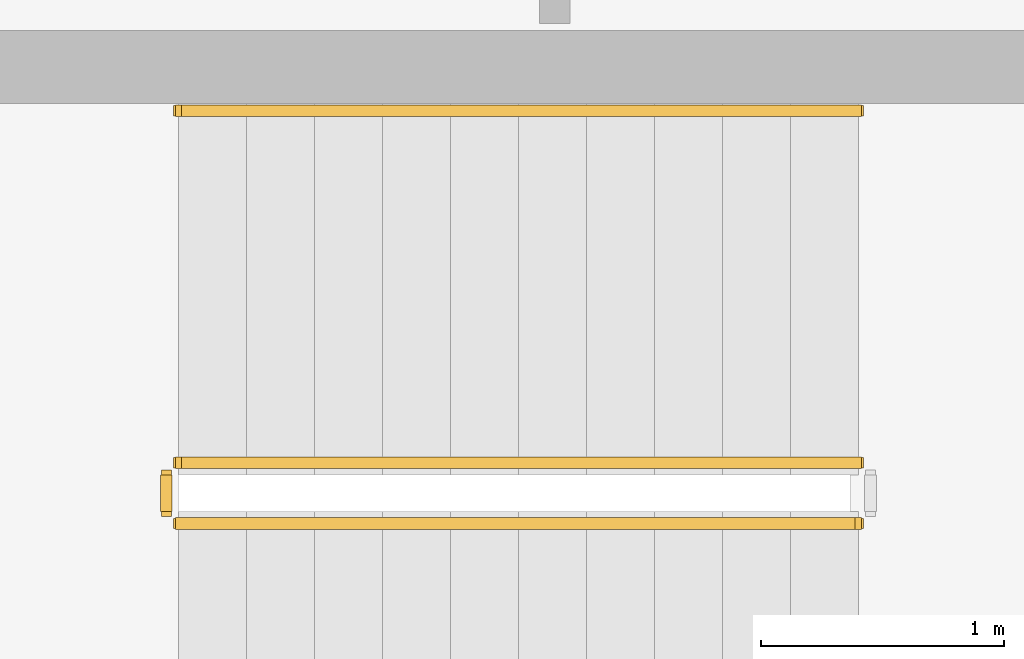
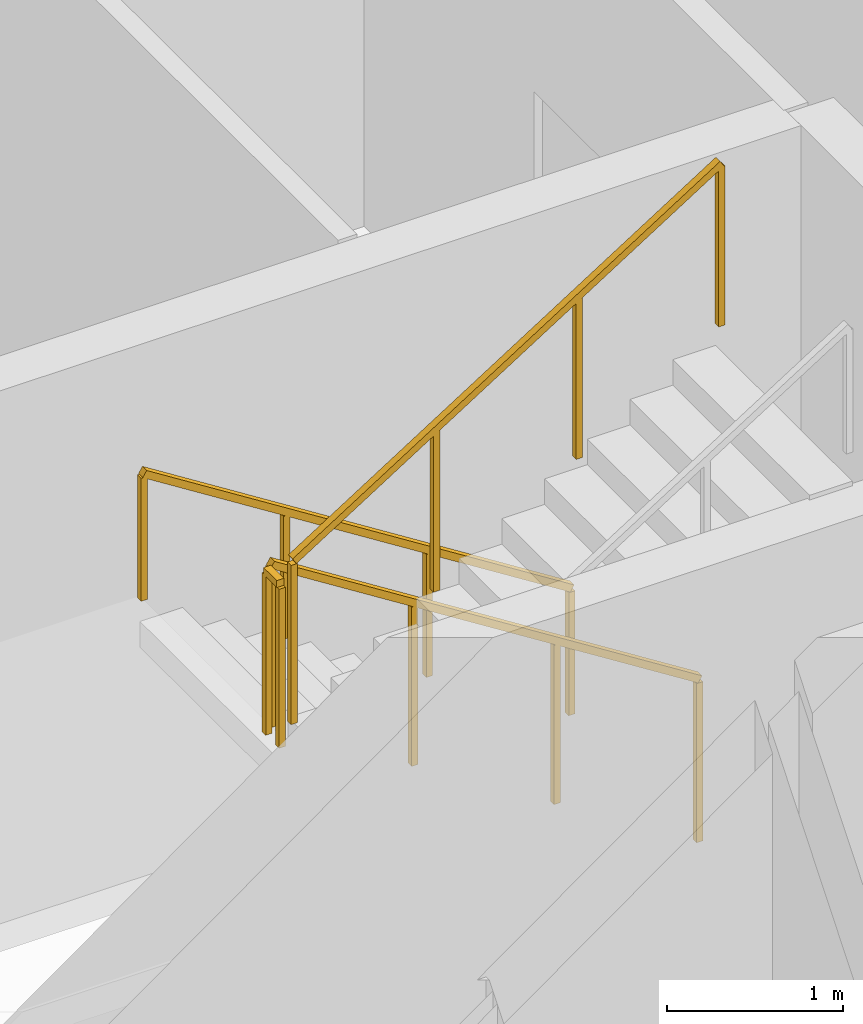
# One storey, part 8 of 11: 4 railings.
"""IFC4 building model written with IfcOpenShell, lengths in metres."""

from ifc_helpers import new_model, si_unit, direction, frame, origin, origin_2d, place, context, subcontext, project, spatial, rectangle, extrude, material, type_object, element, save


model = new_model("IFC4")

# Units and contexts
model_context = context("Model", 3, precision=1e-05, world=origin(), true_north=direction((0.0, 1.0)))
body_context = subcontext(model_context, "Body", "Model", "MODEL_VIEW")
ifc_project = project(units=[si_unit("LENGTHUNIT", "METRE"), si_unit("AREAUNIT", "SQUARE_METRE"), si_unit("VOLUMEUNIT", "CUBIC_METRE"), si_unit("PLANEANGLEUNIT", "RADIAN"), si_unit("MASSUNIT", "GRAM", prefix="KILO")], contexts=[model_context])

# Site, building, storey
site_placement = place(None, origin())
site = spatial("IfcSite", under=ifc_project, at=site_placement, CompositionType="ELEMENT")
building_placement = place(site_placement, origin())
building = spatial("IfcBuilding", under=site, at=building_placement, Name="Mawjaban Terraces University", CompositionType="ELEMENT")
storey_placement = place(building_placement, frame((0.0, 0.0, 214.800048828125)))
storey = spatial("IfcBuildingStorey", under=building, at=storey_placement, Name="L52", CompositionType="ELEMENT", Elevation=214.800048828125)

# Railings
ifc_material_1 = material(Name="Brushed stainless steel 316", Category="steel")
railing_type_1 = type_object("IfcRailingType", Name="StairWallHandrail_900", PredefinedType="HANDRAIL", material=ifc_material_1)
railing_1_placement = place(storey_placement, frame((30.050048828125, 18.800048828125, 0.17724609375)))
element("IfcRailing", 1, at=railing_1_placement, inside=storey, type_object=railing_type_1, Name="L52 ST-2 stair handrail 1", PredefinedType="HANDRAIL", context=body_context, shape_type="SweptSolid", body=[
    extrude(rectangle(XDim=0.048095703125, YDim=0.048095703125, at=origin_2d()), frame((0.0, 0.0, 0.8759765625), z_axis=(-0.844908973607, 0.0, 0.534910110503), x_axis=(0.0, -1.0, 0.0)), (0.0, 0.0, 1.0), 3.31396484375),
    extrude(rectangle(XDim=0.0419921875, YDim=0.0419921875, at=origin_2d()), origin(), (0.0, 0.0, 1.0), 0.851806640625),
    extrude(rectangle(XDim=0.0419921875, YDim=0.0419921875, at=origin_2d()), frame((-0.933349609375, 0.0, 0.5908203125)), (0.0, 0.0, 1.0), 0.851806640625),
    extrude(rectangle(XDim=0.0419921875, YDim=0.0419921875, at=origin_2d()), frame((-1.86669921875, 0.0, 1.181884765625)), (0.0, 0.0, 1.0), 0.851806640625),
    extrude(rectangle(XDim=0.0419921875, YDim=0.0419921875, at=origin_2d()), frame((-2.800048828125, 0.0, 1.772705078125)), (0.0, 0.0, 1.0), 0.851806640625),
])
ifc_material_2 = material(Name="Galvanised painted steel S355", Category="steel")
railing_type_2 = type_object("IfcRailingType", Name="StairWellGuard_1150", PredefinedType="BALUSTRADE", material=ifc_material_2)
railing_2_placement = place(storey_placement, frame((30.050048828125, 17.35009765625, 0.17724609375)))
element("IfcRailing", 2, at=railing_2_placement, inside=storey, type_object=railing_type_2, Name="L52 ST-2 stair guard 1", PredefinedType="BALUSTRADE", context=body_context, shape_type="SweptSolid", body=[
    extrude(rectangle(XDim=0.048095703125, YDim=0.048095703125, at=origin_2d()), frame((0.0, 0.0, 1.1259765625), z_axis=(-0.844908973607, 0.0, 0.534910110503), x_axis=(0.0, -1.0, 0.0)), (0.0, 0.0, 1.0), 3.31396484375),
    extrude(rectangle(XDim=0.0419921875, YDim=0.0419921875, at=origin_2d()), origin(), (0.0, 0.0, 1.0), 1.101806640625),
    extrude(rectangle(XDim=0.0419921875, YDim=0.0419921875, at=origin_2d()), frame((-0.933349609375, 0.0, 0.5908203125)), (0.0, 0.0, 1.0), 1.101806640625),
    extrude(rectangle(XDim=0.0419921875, YDim=0.0419921875, at=origin_2d()), frame((-1.86669921875, 0.0, 1.181884765625)), (0.0, 0.0, 1.0), 1.101806640625),
    extrude(rectangle(XDim=0.0419921875, YDim=0.0419921875, at=origin_2d()), frame((-2.800048828125, 0.0, 1.772705078125)), (0.0, 0.0, 1.0), 1.101806640625),
])
railing_3_placement = place(storey_placement, frame((27.199951171875, 17.300048828125, 1.949951171875)))
element("IfcRailing", 3, at=railing_3_placement, inside=storey, type_object=railing_type_2, Name="L52 ST-2 stair guard 2", PredefinedType="BALUSTRADE", context=body_context, shape_type="SweptSolid", body=[
    extrude(rectangle(XDim=0.048095703125, YDim=0.048095703125, at=origin_2d()), frame((0.0, 0.0, 1.1259765625), z_axis=(0.0, -1.0, 0.0), x_axis=(1.0, 0.0, 0.0)), (0.0, 0.0, 1.0), 0.150146484375),
    extrude(rectangle(XDim=0.0419921875, YDim=0.0419921875, at=origin_2d()), origin(), (0.0, 0.0, 1.0), 1.101806640625),
    extrude(rectangle(XDim=0.0419921875, YDim=0.0419921875, at=origin_2d()), frame((0.0, -0.150146484375, 0.0)), (0.0, 0.0, 1.0), 1.101806640625),
])
railing_4_placement = place(storey_placement, frame((27.25, 17.10009765625, 2.127197265625)))
element("IfcRailing", 4, at=railing_4_placement, inside=storey, type_object=railing_type_2, Name="L52 ST-2 stair guard 3", PredefinedType="BALUSTRADE", context=body_context, shape_type="SweptSolid", body=[
    extrude(rectangle(XDim=0.048095703125, YDim=0.048095703125, at=origin_2d()), frame((0.0, 0.0, 1.1259765625), z_axis=(0.844908973607, 0.0, 0.534910110503), x_axis=(0.0, 1.0, 0.0)), (0.0, 0.0, 1.0), 3.31396484375),
    extrude(rectangle(XDim=0.0419921875, YDim=0.0419921875, at=origin_2d()), origin(), (0.0, 0.0, 1.0), 1.101806640625),
    extrude(rectangle(XDim=0.0419921875, YDim=0.0419921875, at=origin_2d()), frame((0.933349609375, 0.0, 0.5908203125)), (0.0, 0.0, 1.0), 1.101806640625),
    extrude(rectangle(XDim=0.0419921875, YDim=0.0419921875, at=origin_2d()), frame((1.86669921875, 0.0, 1.181884765625)), (0.0, 0.0, 1.0), 1.101806640625),
    extrude(rectangle(XDim=0.0419921875, YDim=0.0419921875, at=origin_2d()), frame((2.800048828125, 0.0, 1.772705078125)), (0.0, 0.0, 1.0), 1.101806640625),
])

save(model, "model.ifc")
